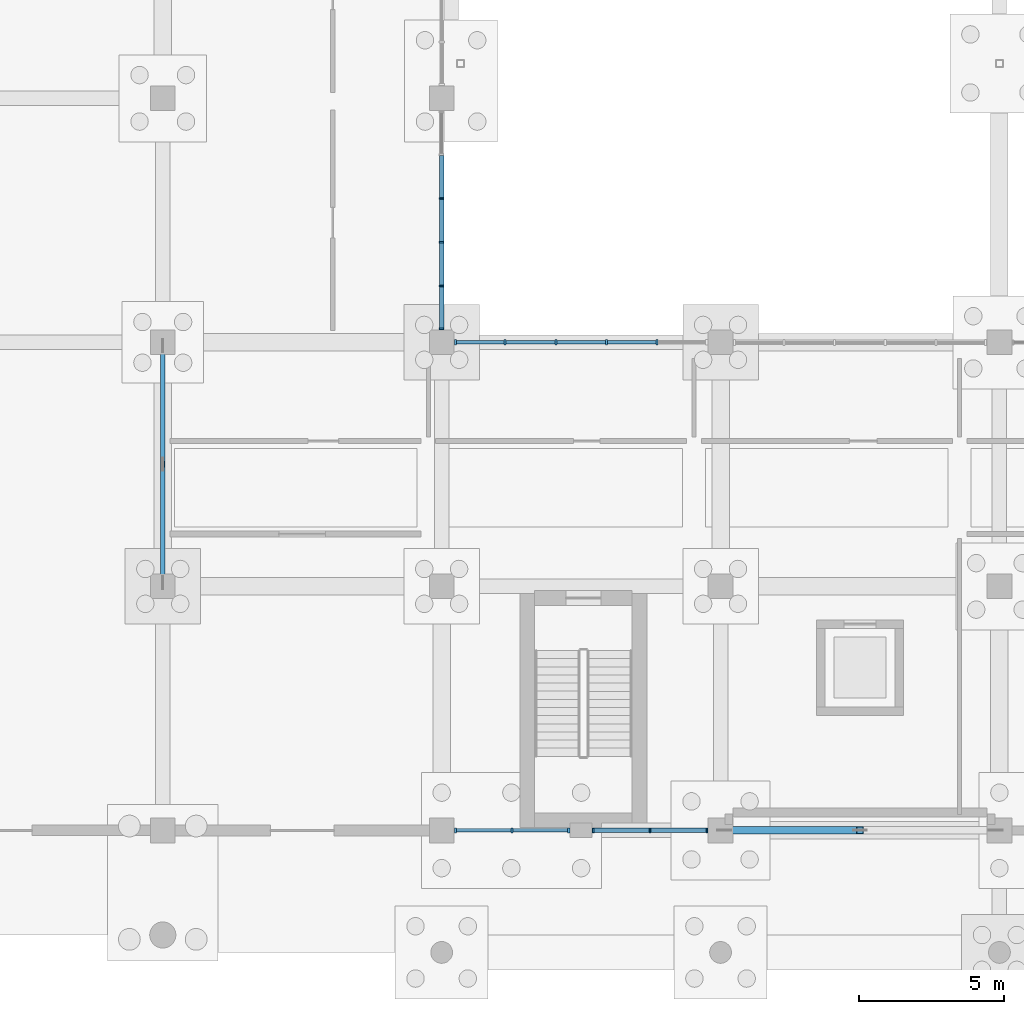
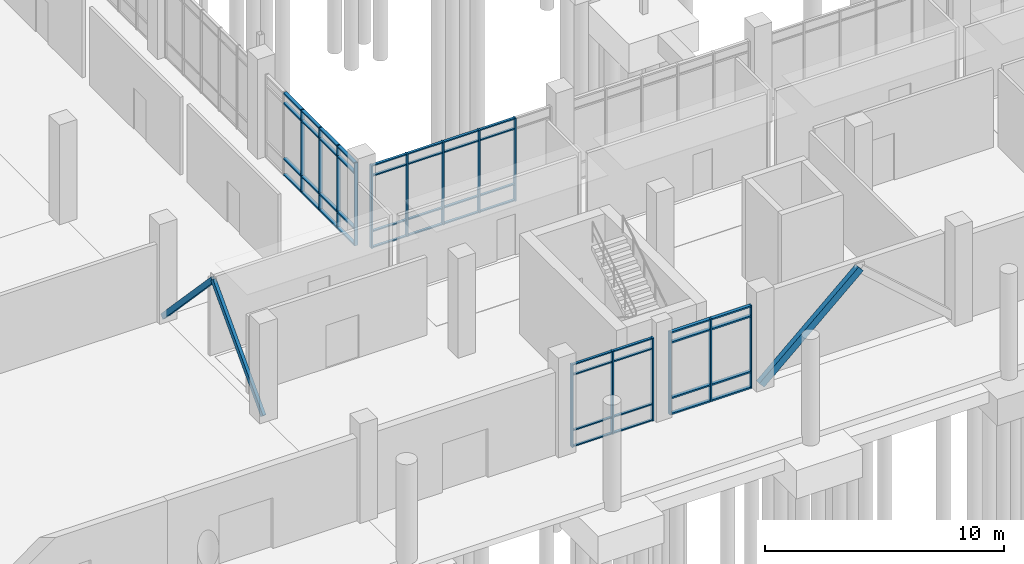
# One storey, part 48 of 136: 66 members, 4 elements without a shape of their own.
"""IFC4 building model written with IfcOpenShell, lengths in metres."""

from ifc_helpers import new_model, si_unit, direction, frame, origin, origin_2d, place, context, subcontext, project, spatial, rectangle, hollow_rectangle, extrude, material, material_profile, profile_set, type_object, element, aggregate, save


model = new_model("IFC4")

# Units and contexts
model_context = context("Model", 3, precision=1e-05, world=origin(), true_north=direction((0.0, 1.0)))
body_context = subcontext(model_context, "Body", "Model", "MODEL_VIEW")
ifc_project = project(units=[si_unit("LENGTHUNIT", "METRE"), si_unit("AREAUNIT", "SQUARE_METRE"), si_unit("VOLUMEUNIT", "CUBIC_METRE"), si_unit("PLANEANGLEUNIT", "RADIAN"), si_unit("MASSUNIT", "GRAM", prefix="KILO")], contexts=[model_context])

# Site, building, storey
site_placement = place(None, origin())
site = spatial("IfcSite", under=ifc_project, at=site_placement, CompositionType="ELEMENT")
building_placement = place(site_placement, origin())
building = spatial("IfcBuilding", under=site, at=building_placement, Name="Oolite Switchyard Hospital", CompositionType="ELEMENT")
storey_placement = place(building_placement, origin())
storey = spatial("IfcBuildingStorey", under=building, at=storey_placement, Name="L00", CompositionType="ELEMENT", Elevation=0.0)

# Curtain wall, members
ifc_material_1 = material(Name="Thermally broken aluminum frame with laminated impact glazing", Category="aluminium")
curtain_wall_type_1 = type_object("IfcCurtainWallType", Name="CW-UNIT-84X51", PredefinedType="USERDEFINED", material=ifc_material_1)
curtain_wall_1_placement = place(storey_placement, origin())
curtain_wall_1 = element("IfcCurtainWall", 1, at=curtain_wall_1_placement, inside=storey, type_object=curtain_wall_type_1, Name="L00 Unitised Curtain Wall 3", ObjectType="UNITISED", PredefinedType="USERDEFINED")
ifc_material_2 = material(Name="Aluminium 6063-T6", Category="aluminium")
ifc_material_profile_1 = material_profile(ifc_material_2, rectangle(XDim=0.159912109375, YDim=0.06005859375, at=origin_2d()), Name="CWM60X160")
ifc_profile_set_1 = profile_set([ifc_material_profile_1], Name="Aluminium 6063-T6")
member_type_1 = type_object("IfcMemberType", Name="CW-MUL-180", PredefinedType="MULLION", material=ifc_profile_set_1)
member_1_placement = place(storey_placement, frame((153.1298828125, 8.39990234375, 0.0), z_axis=(0.0, 0.0, 1.0), x_axis=(0.0, -1.0, 0.0)))
member_1 = element("IfcMember", 2, at=member_1_placement, type_object=member_type_1, Name="CW-06 mullion 1", PredefinedType="MULLION", context=body_context, shape_type="SweptSolid", body=[
    extrude(rectangle(XDim=0.159912109375, YDim=0.06005859375, at=origin_2d()), origin(), (0.0, 0.0, 1.0), 4.239990234375),
])
member_2_placement = place(storey_placement, frame((151.175048828125, 8.39990234375, 0.0), z_axis=(0.0, 0.0, 1.0), x_axis=(0.0, -1.0, 0.0)))
member_2 = element("IfcMember", 3, at=member_2_placement, type_object=member_type_1, Name="CW-06 mullion 2", PredefinedType="MULLION", context=body_context, shape_type="SweptSolid", body=[
    extrude(rectangle(XDim=0.159912109375, YDim=0.06005859375, at=origin_2d()), origin(), (0.0, 0.0, 1.0), 4.239990234375),
])
member_3_placement = place(storey_placement, frame((149.219970703125, 8.39990234375, 0.0), z_axis=(0.0, 0.0, 1.0), x_axis=(0.0, -1.0, 0.0)))
member_3 = element("IfcMember", 4, at=member_3_placement, type_object=member_type_1, Name="CW-06 mullion 3", PredefinedType="MULLION", context=body_context, shape_type="SweptSolid", body=[
    extrude(rectangle(XDim=0.159912109375, YDim=0.06005859375, at=origin_2d()), origin(), (0.0, 0.0, 1.0), 4.239990234375),
])

curtain_wall_2_placement = place(storey_placement, origin())
curtain_wall_2 = element("IfcCurtainWall", 5, at=curtain_wall_2_placement, inside=storey, type_object=curtain_wall_type_1, Name="L00 Unitised Curtain Wall 75", ObjectType="UNITISED", PredefinedType="USERDEFINED")
member_4_placement = place(storey_placement, frame((144.0, 30.152099609375, 0.0), z_axis=(0.0, 0.0, 1.0), x_axis=(1.0, 0.0, 0.0)))
member_4 = element("IfcMember", 6, at=member_4_placement, type_object=member_type_1, Name="CW-06 mullion 3", PredefinedType="MULLION", context=body_context, shape_type="SweptSolid", body=[
    extrude(rectangle(XDim=0.159912109375, YDim=0.06005859375, at=origin_2d()), origin(), (0.0, 0.0, 1.0), 4.239990234375),
])
member_5_placement = place(storey_placement, frame((144.0, 28.64794921875, 0.0), z_axis=(0.0, 0.0, 1.0), x_axis=(1.0, 0.0, 0.0)))
member_5 = element("IfcMember", 7, at=member_5_placement, type_object=member_type_1, Name="CW-06 mullion 4", PredefinedType="MULLION", context=body_context, shape_type="SweptSolid", body=[
    extrude(rectangle(XDim=0.159912109375, YDim=0.06005859375, at=origin_2d()), origin(), (0.0, 0.0, 1.0), 4.239990234375),
])
member_6_placement = place(storey_placement, frame((144.0, 27.14404296875, 0.0), z_axis=(0.0, 0.0, 1.0), x_axis=(1.0, 0.0, 0.0)))
member_6 = element("IfcMember", 8, at=member_6_placement, type_object=member_type_1, Name="CW-06 mullion 5", PredefinedType="MULLION", context=body_context, shape_type="SweptSolid", body=[
    extrude(rectangle(XDim=0.159912109375, YDim=0.06005859375, at=origin_2d()), origin(), (0.0, 0.0, 1.0), 4.239990234375),
])
member_7_placement = place(storey_placement, frame((144.0, 25.669921875, 0.0), z_axis=(0.0, 0.0, 1.0), x_axis=(1.0, 0.0, 0.0)))
member_7 = element("IfcMember", 9, at=member_7_placement, type_object=member_type_1, Name="CW-06 mullion 6", PredefinedType="MULLION", context=body_context, shape_type="SweptSolid", body=[
    extrude(rectangle(XDim=0.159912109375, YDim=0.06005859375, at=origin_2d()), origin(), (0.0, 0.0, 1.0), 4.239990234375),
])

curtain_wall_3_placement = place(storey_placement, origin())
curtain_wall_3 = element("IfcCurtainWall", 10, at=curtain_wall_3_placement, inside=storey, type_object=curtain_wall_type_1, Name="L00 Unitised Curtain Wall 4", ObjectType="UNITISED", PredefinedType="USERDEFINED")
ifc_material_profile_2 = material_profile(ifc_material_2, rectangle(XDim=0.179931640625, YDim=0.070068359375, at=origin_2d()), Name="CWM70X180")
ifc_profile_set_2 = profile_set([ifc_material_profile_2], Name="Aluminium 6063-T6")
member_type_2 = type_object("IfcMemberType", Name="CW-MUL-220", PredefinedType="MULLION", material=ifc_profile_set_2)
member_8_placement = place(storey_placement, frame((148.375, 8.39990234375, 0.0), z_axis=(0.0, 0.0, 1.0), x_axis=(0.0, -1.0, 0.0)))
member_8 = element("IfcMember", 11, at=member_8_placement, type_object=member_type_2, Name="CW-06 mullion 1", PredefinedType="MULLION", context=body_context, shape_type="SweptSolid", body=[
    extrude(rectangle(XDim=0.179931640625, YDim=0.070068359375, at=origin_2d()), origin(), (0.0, 0.0, 1.0), 4.239990234375),
])
member_9_placement = place(storey_placement, frame((146.425048828125, 8.39990234375, 0.0), z_axis=(0.0, 0.0, 1.0), x_axis=(0.0, -1.0, 0.0)))
member_9 = element("IfcMember", 12, at=member_9_placement, type_object=member_type_2, Name="CW-06 mullion 2", PredefinedType="MULLION", context=body_context, shape_type="SweptSolid", body=[
    extrude(rectangle(XDim=0.179931640625, YDim=0.070068359375, at=origin_2d()), origin(), (0.0, 0.0, 1.0), 4.239990234375),
])
member_10_placement = place(storey_placement, frame((144.47509765625, 8.39990234375, 0.0), z_axis=(0.0, 0.0, 1.0), x_axis=(0.0, -1.0, 0.0)))
member_10 = element("IfcMember", 13, at=member_10_placement, type_object=member_type_2, Name="CW-06 mullion 3", PredefinedType="MULLION", context=body_context, shape_type="SweptSolid", body=[
    extrude(rectangle(XDim=0.179931640625, YDim=0.070068359375, at=origin_2d()), origin(), (0.0, 0.0, 1.0), 4.239990234375),
])

curtain_wall_type_2 = type_object("IfcCurtainWallType", Name="CW-UNIT-96X51", PredefinedType="USERDEFINED", material=ifc_material_1)
curtain_wall_4_placement = place(storey_placement, origin())
curtain_wall_4 = element("IfcCurtainWall", 14, at=curtain_wall_4_placement, inside=storey, type_object=curtain_wall_type_2, Name="L00 Unitised Curtain Wall 10", ObjectType="UNITISED", PredefinedType="USERDEFINED")
member_11_placement = place(storey_placement, frame((144.47509765625, 25.199951171875, 0.0), z_axis=(0.0, 0.0, 1.0), x_axis=(0.0, 1.0, 0.0)))
member_11 = element("IfcMember", 15, at=member_11_placement, type_object=member_type_2, Name="CW-01 mullion 1", PredefinedType="MULLION", context=body_context, shape_type="SweptSolid", body=[
    extrude(rectangle(XDim=0.179931640625, YDim=0.070068359375, at=origin_2d()), origin(), (0.0, 0.0, 1.0), 4.239990234375),
])
member_12_placement = place(storey_placement, frame((146.18408203125, 25.199951171875, 0.0), z_axis=(0.0, 0.0, 1.0), x_axis=(0.0, 1.0, 0.0)))
member_12 = element("IfcMember", 16, at=member_12_placement, type_object=member_type_2, Name="CW-01 mullion 2", PredefinedType="MULLION", context=body_context, shape_type="SweptSolid", body=[
    extrude(rectangle(XDim=0.179931640625, YDim=0.070068359375, at=origin_2d()), origin(), (0.0, 0.0, 1.0), 4.239990234375),
])
member_13_placement = place(storey_placement, frame((147.927978515625, 25.199951171875, 0.0), z_axis=(0.0, 0.0, 1.0), x_axis=(0.0, 1.0, 0.0)))
member_13 = element("IfcMember", 17, at=member_13_placement, type_object=member_type_2, Name="CW-01 mullion 3", PredefinedType="MULLION", context=body_context, shape_type="SweptSolid", body=[
    extrude(rectangle(XDim=0.179931640625, YDim=0.070068359375, at=origin_2d()), origin(), (0.0, 0.0, 1.0), 4.239990234375),
])
member_14_placement = place(storey_placement, frame((149.672119140625, 25.199951171875, 0.0), z_axis=(0.0, 0.0, 1.0), x_axis=(0.0, 1.0, 0.0)))
member_14 = element("IfcMember", 18, at=member_14_placement, type_object=member_type_2, Name="CW-01 mullion 4", PredefinedType="MULLION", context=body_context, shape_type="SweptSolid", body=[
    extrude(rectangle(XDim=0.179931640625, YDim=0.070068359375, at=origin_2d()), origin(), (0.0, 0.0, 1.0), 4.239990234375),
])
member_15_placement = place(storey_placement, frame((151.416015625, 25.199951171875, 0.0), z_axis=(0.0, 0.0, 1.0), x_axis=(0.0, 1.0, 0.0)))
member_15 = element("IfcMember", 19, at=member_15_placement, type_object=member_type_2, Name="CW-01 mullion 5", PredefinedType="MULLION", context=body_context, shape_type="SweptSolid", body=[
    extrude(rectangle(XDim=0.179931640625, YDim=0.070068359375, at=origin_2d()), origin(), (0.0, 0.0, 1.0), 4.239990234375),
])

# Member
ifc_material_profile_3 = material_profile(ifc_material_2, rectangle(XDim=0.1201171875, YDim=0.06005859375, at=origin_2d()), Name="CWT60X120")
ifc_profile_set_3 = profile_set([ifc_material_profile_3], Name="Aluminium 6063-T6")
member_type_3 = type_object("IfcMemberType", Name="CW-TRN-150", PredefinedType="USERDEFINED", material=ifc_profile_set_3)
member_16_placement = place(storey_placement, frame((148.340087890625, 8.39990234375, 0.030029296875), z_axis=(-1.0, 0.0, 0.0), x_axis=(0.0, -1.0, 0.0)))
member_16 = element("IfcMember", 20, at=member_16_placement, type_object=member_type_3, Name="CW-06 transom 1.1", ObjectType="TRANSOM", PredefinedType="USERDEFINED", context=body_context, shape_type="SweptSolid", body=[
    extrude(rectangle(XDim=0.1201171875, YDim=0.06005859375, at=origin_2d()), origin(), (0.0, 0.0, 1.0), 1.880126953125),
])

member_17_placement = place(storey_placement, frame((148.340087890625, 8.39990234375, 0.85009765625), z_axis=(-1.0, 0.0, 0.0), x_axis=(0.0, -1.0, 0.0)))
member_17 = element("IfcMember", 21, at=member_17_placement, type_object=member_type_3, Name="CW-06 transom 1.2", ObjectType="TRANSOM", PredefinedType="USERDEFINED", context=body_context, shape_type="SweptSolid", body=[
    extrude(rectangle(XDim=0.1201171875, YDim=0.06005859375, at=origin_2d()), origin(), (0.0, 0.0, 1.0), 1.880126953125),
])

member_18_placement = place(storey_placement, frame((148.340087890625, 8.39990234375, 3.68994140625), z_axis=(-1.0, 0.0, 0.0), x_axis=(0.0, -1.0, 0.0)))
member_18 = element("IfcMember", 22, at=member_18_placement, type_object=member_type_3, Name="CW-06 transom 1.3", ObjectType="TRANSOM", PredefinedType="USERDEFINED", context=body_context, shape_type="SweptSolid", body=[
    extrude(rectangle(XDim=0.1201171875, YDim=0.06005859375, at=origin_2d()), origin(), (0.0, 0.0, 1.0), 1.880126953125),
])

member_19_placement = place(storey_placement, frame((148.340087890625, 8.39990234375, 4.2099609375), z_axis=(-1.0, 0.0, 0.0), x_axis=(0.0, -1.0, 0.0)))
member_19 = element("IfcMember", 23, at=member_19_placement, type_object=member_type_3, Name="CW-06 transom 1.4", ObjectType="TRANSOM", PredefinedType="USERDEFINED", context=body_context, shape_type="SweptSolid", body=[
    extrude(rectangle(XDim=0.1201171875, YDim=0.06005859375, at=origin_2d()), origin(), (0.0, 0.0, 1.0), 1.880126953125),
])

member_20_placement = place(storey_placement, frame((146.389892578125, 8.39990234375, 0.030029296875), z_axis=(-1.0, 0.0, 0.0), x_axis=(0.0, -1.0, 0.0)))
member_20 = element("IfcMember", 24, at=member_20_placement, type_object=member_type_3, Name="CW-06 transom 2.1", ObjectType="TRANSOM", PredefinedType="USERDEFINED", context=body_context, shape_type="SweptSolid", body=[
    extrude(rectangle(XDim=0.1201171875, YDim=0.06005859375, at=origin_2d()), origin(), (0.0, 0.0, 1.0), 1.8798828125),
])

member_21_placement = place(storey_placement, frame((146.389892578125, 8.39990234375, 0.85009765625), z_axis=(-1.0, 0.0, 0.0), x_axis=(0.0, -1.0, 0.0)))
member_21 = element("IfcMember", 25, at=member_21_placement, type_object=member_type_3, Name="CW-06 transom 2.2", ObjectType="TRANSOM", PredefinedType="USERDEFINED", context=body_context, shape_type="SweptSolid", body=[
    extrude(rectangle(XDim=0.1201171875, YDim=0.06005859375, at=origin_2d()), origin(), (0.0, 0.0, 1.0), 1.8798828125),
])

member_22_placement = place(storey_placement, frame((146.389892578125, 8.39990234375, 3.68994140625), z_axis=(-1.0, 0.0, 0.0), x_axis=(0.0, -1.0, 0.0)))
member_22 = element("IfcMember", 26, at=member_22_placement, type_object=member_type_3, Name="CW-06 transom 2.3", ObjectType="TRANSOM", PredefinedType="USERDEFINED", context=body_context, shape_type="SweptSolid", body=[
    extrude(rectangle(XDim=0.1201171875, YDim=0.06005859375, at=origin_2d()), origin(), (0.0, 0.0, 1.0), 1.8798828125),
])

member_23_placement = place(storey_placement, frame((146.389892578125, 8.39990234375, 4.2099609375), z_axis=(-1.0, 0.0, 0.0), x_axis=(0.0, -1.0, 0.0)))
member_23 = element("IfcMember", 27, at=member_23_placement, type_object=member_type_3, Name="CW-06 transom 2.4", ObjectType="TRANSOM", PredefinedType="USERDEFINED", context=body_context, shape_type="SweptSolid", body=[
    extrude(rectangle(XDim=0.1201171875, YDim=0.06005859375, at=origin_2d()), origin(), (0.0, 0.0, 1.0), 1.8798828125),
])

aggregate(curtain_wall_3, [member_8, member_9, member_10, member_16, member_17, member_18, member_19, member_20, member_21, member_22, member_23])

member_24_placement = place(storey_placement, frame((144.510009765625, 25.199951171875, 0.030029296875), z_axis=(1.0, 0.0, 0.0), x_axis=(0.0, 1.0, 0.0)))
member_24 = element("IfcMember", 28, at=member_24_placement, type_object=member_type_3, Name="CW-01 transom 1.1", ObjectType="TRANSOM", PredefinedType="USERDEFINED", context=body_context, shape_type="SweptSolid", body=[
    extrude(rectangle(XDim=0.1201171875, YDim=0.06005859375, at=origin_2d()), origin(), (0.0, 0.0, 1.0), 1.638916015625),
])

member_25_placement = place(storey_placement, frame((144.510009765625, 25.199951171875, 0.85009765625), z_axis=(1.0, 0.0, 0.0), x_axis=(0.0, 1.0, 0.0)))
member_25 = element("IfcMember", 29, at=member_25_placement, type_object=member_type_3, Name="CW-01 transom 1.2", ObjectType="TRANSOM", PredefinedType="USERDEFINED", context=body_context, shape_type="SweptSolid", body=[
    extrude(rectangle(XDim=0.1201171875, YDim=0.06005859375, at=origin_2d()), origin(), (0.0, 0.0, 1.0), 1.638916015625),
])

member_26_placement = place(storey_placement, frame((144.510009765625, 25.199951171875, 3.68994140625), z_axis=(1.0, 0.0, 0.0), x_axis=(0.0, 1.0, 0.0)))
member_26 = element("IfcMember", 30, at=member_26_placement, type_object=member_type_3, Name="CW-01 transom 1.3", ObjectType="TRANSOM", PredefinedType="USERDEFINED", context=body_context, shape_type="SweptSolid", body=[
    extrude(rectangle(XDim=0.1201171875, YDim=0.06005859375, at=origin_2d()), origin(), (0.0, 0.0, 1.0), 1.638916015625),
])

member_27_placement = place(storey_placement, frame((144.510009765625, 25.199951171875, 4.2099609375), z_axis=(1.0, 0.0, 0.0), x_axis=(0.0, 1.0, 0.0)))
member_27 = element("IfcMember", 31, at=member_27_placement, type_object=member_type_3, Name="CW-01 transom 1.4", ObjectType="TRANSOM", PredefinedType="USERDEFINED", context=body_context, shape_type="SweptSolid", body=[
    extrude(rectangle(XDim=0.1201171875, YDim=0.06005859375, at=origin_2d()), origin(), (0.0, 0.0, 1.0), 1.638916015625),
])

member_28_placement = place(storey_placement, frame((146.218994140625, 25.199951171875, 0.030029296875), z_axis=(1.0, 0.0, 0.0), x_axis=(0.0, 1.0, 0.0)))
member_28 = element("IfcMember", 32, at=member_28_placement, type_object=member_type_3, Name="CW-01 transom 2.1", ObjectType="TRANSOM", PredefinedType="USERDEFINED", context=body_context, shape_type="SweptSolid", body=[
    extrude(rectangle(XDim=0.1201171875, YDim=0.06005859375, at=origin_2d()), origin(), (0.0, 0.0, 1.0), 1.674072265625),
])

member_29_placement = place(storey_placement, frame((146.218994140625, 25.199951171875, 0.85009765625), z_axis=(1.0, 0.0, 0.0), x_axis=(0.0, 1.0, 0.0)))
member_29 = element("IfcMember", 33, at=member_29_placement, type_object=member_type_3, Name="CW-01 transom 2.2", ObjectType="TRANSOM", PredefinedType="USERDEFINED", context=body_context, shape_type="SweptSolid", body=[
    extrude(rectangle(XDim=0.1201171875, YDim=0.06005859375, at=origin_2d()), origin(), (0.0, 0.0, 1.0), 1.674072265625),
])

member_30_placement = place(storey_placement, frame((146.218994140625, 25.199951171875, 3.68994140625), z_axis=(1.0, 0.0, 0.0), x_axis=(0.0, 1.0, 0.0)))
member_30 = element("IfcMember", 34, at=member_30_placement, type_object=member_type_3, Name="CW-01 transom 2.3", ObjectType="TRANSOM", PredefinedType="USERDEFINED", context=body_context, shape_type="SweptSolid", body=[
    extrude(rectangle(XDim=0.1201171875, YDim=0.06005859375, at=origin_2d()), origin(), (0.0, 0.0, 1.0), 1.674072265625),
])

member_31_placement = place(storey_placement, frame((146.218994140625, 25.199951171875, 4.2099609375), z_axis=(1.0, 0.0, 0.0), x_axis=(0.0, 1.0, 0.0)))
member_31 = element("IfcMember", 35, at=member_31_placement, type_object=member_type_3, Name="CW-01 transom 2.4", ObjectType="TRANSOM", PredefinedType="USERDEFINED", context=body_context, shape_type="SweptSolid", body=[
    extrude(rectangle(XDim=0.1201171875, YDim=0.06005859375, at=origin_2d()), origin(), (0.0, 0.0, 1.0), 1.674072265625),
])

member_32_placement = place(storey_placement, frame((147.962890625, 25.199951171875, 0.030029296875), z_axis=(1.0, 0.0, 0.0), x_axis=(0.0, 1.0, 0.0)))
member_32 = element("IfcMember", 36, at=member_32_placement, type_object=member_type_3, Name="CW-01 transom 3.1", ObjectType="TRANSOM", PredefinedType="USERDEFINED", context=body_context, shape_type="SweptSolid", body=[
    extrude(rectangle(XDim=0.1201171875, YDim=0.06005859375, at=origin_2d()), origin(), (0.0, 0.0, 1.0), 1.674072265625),
])

member_33_placement = place(storey_placement, frame((147.962890625, 25.199951171875, 0.85009765625), z_axis=(1.0, 0.0, 0.0), x_axis=(0.0, 1.0, 0.0)))
member_33 = element("IfcMember", 37, at=member_33_placement, type_object=member_type_3, Name="CW-01 transom 3.2", ObjectType="TRANSOM", PredefinedType="USERDEFINED", context=body_context, shape_type="SweptSolid", body=[
    extrude(rectangle(XDim=0.1201171875, YDim=0.06005859375, at=origin_2d()), origin(), (0.0, 0.0, 1.0), 1.674072265625),
])

member_34_placement = place(storey_placement, frame((147.962890625, 25.199951171875, 3.68994140625), z_axis=(1.0, 0.0, 0.0), x_axis=(0.0, 1.0, 0.0)))
member_34 = element("IfcMember", 38, at=member_34_placement, type_object=member_type_3, Name="CW-01 transom 3.3", ObjectType="TRANSOM", PredefinedType="USERDEFINED", context=body_context, shape_type="SweptSolid", body=[
    extrude(rectangle(XDim=0.1201171875, YDim=0.06005859375, at=origin_2d()), origin(), (0.0, 0.0, 1.0), 1.674072265625),
])

member_35_placement = place(storey_placement, frame((147.962890625, 25.199951171875, 4.2099609375), z_axis=(1.0, 0.0, 0.0), x_axis=(0.0, 1.0, 0.0)))
member_35 = element("IfcMember", 39, at=member_35_placement, type_object=member_type_3, Name="CW-01 transom 3.4", ObjectType="TRANSOM", PredefinedType="USERDEFINED", context=body_context, shape_type="SweptSolid", body=[
    extrude(rectangle(XDim=0.1201171875, YDim=0.06005859375, at=origin_2d()), origin(), (0.0, 0.0, 1.0), 1.674072265625),
])

member_36_placement = place(storey_placement, frame((149.70703125, 25.199951171875, 0.030029296875), z_axis=(1.0, 0.0, 0.0), x_axis=(0.0, 1.0, 0.0)))
member_36 = element("IfcMember", 40, at=member_36_placement, type_object=member_type_3, Name="CW-01 transom 4.1", ObjectType="TRANSOM", PredefinedType="USERDEFINED", context=body_context, shape_type="SweptSolid", body=[
    extrude(rectangle(XDim=0.1201171875, YDim=0.06005859375, at=origin_2d()), origin(), (0.0, 0.0, 1.0), 1.674072265625),
])

member_37_placement = place(storey_placement, frame((149.70703125, 25.199951171875, 0.85009765625), z_axis=(1.0, 0.0, 0.0), x_axis=(0.0, 1.0, 0.0)))
member_37 = element("IfcMember", 41, at=member_37_placement, type_object=member_type_3, Name="CW-01 transom 4.2", ObjectType="TRANSOM", PredefinedType="USERDEFINED", context=body_context, shape_type="SweptSolid", body=[
    extrude(rectangle(XDim=0.1201171875, YDim=0.06005859375, at=origin_2d()), origin(), (0.0, 0.0, 1.0), 1.674072265625),
])

member_38_placement = place(storey_placement, frame((149.70703125, 25.199951171875, 3.68994140625), z_axis=(1.0, 0.0, 0.0), x_axis=(0.0, 1.0, 0.0)))
member_38 = element("IfcMember", 42, at=member_38_placement, type_object=member_type_3, Name="CW-01 transom 4.3", ObjectType="TRANSOM", PredefinedType="USERDEFINED", context=body_context, shape_type="SweptSolid", body=[
    extrude(rectangle(XDim=0.1201171875, YDim=0.06005859375, at=origin_2d()), origin(), (0.0, 0.0, 1.0), 1.674072265625),
])

member_39_placement = place(storey_placement, frame((149.70703125, 25.199951171875, 4.2099609375), z_axis=(1.0, 0.0, 0.0), x_axis=(0.0, 1.0, 0.0)))
member_39 = element("IfcMember", 43, at=member_39_placement, type_object=member_type_3, Name="CW-01 transom 4.4", ObjectType="TRANSOM", PredefinedType="USERDEFINED", context=body_context, shape_type="SweptSolid", body=[
    extrude(rectangle(XDim=0.1201171875, YDim=0.06005859375, at=origin_2d()), origin(), (0.0, 0.0, 1.0), 1.674072265625),
])

aggregate(curtain_wall_4, [member_11, member_12, member_13, member_14, member_15, member_24, member_25, member_26, member_27, member_28, member_29, member_30, member_31, member_32, member_33, member_34, member_35, member_36, member_37, member_38, member_39])

ifc_material_profile_4 = material_profile(ifc_material_2, rectangle(XDim=0.159912109375, YDim=0.074951171875, at=origin_2d()), Name="CWT75X160")
ifc_profile_set_4 = profile_set([ifc_material_profile_4], Name="Aluminium 6063-T6")
member_type_4 = type_object("IfcMemberType", Name="CW-TRN-180", PredefinedType="USERDEFINED", material=ifc_profile_set_4)
member_40_placement = place(storey_placement, frame((153.10009765625, 8.39990234375, 0.03759765625), z_axis=(-1.0, 0.0, 0.0), x_axis=(0.0, -1.0, 0.0)))
member_40 = element("IfcMember", 44, at=member_40_placement, type_object=member_type_4, Name="CW-06 transom 1.1", ObjectType="TRANSOM", PredefinedType="USERDEFINED", context=body_context, shape_type="SweptSolid", body=[
    extrude(rectangle(XDim=0.159912109375, YDim=0.074951171875, at=origin_2d()), origin(), (0.0, 0.0, 1.0), 1.89501953125),
])

member_41_placement = place(storey_placement, frame((153.10009765625, 8.39990234375, 0.85009765625), z_axis=(-1.0, 0.0, 0.0), x_axis=(0.0, -1.0, 0.0)))
member_41 = element("IfcMember", 45, at=member_41_placement, type_object=member_type_4, Name="CW-06 transom 1.2", ObjectType="TRANSOM", PredefinedType="USERDEFINED", context=body_context, shape_type="SweptSolid", body=[
    extrude(rectangle(XDim=0.159912109375, YDim=0.074951171875, at=origin_2d()), origin(), (0.0, 0.0, 1.0), 1.89501953125),
])

member_42_placement = place(storey_placement, frame((153.10009765625, 8.39990234375, 3.68994140625), z_axis=(-1.0, 0.0, 0.0), x_axis=(0.0, -1.0, 0.0)))
member_42 = element("IfcMember", 46, at=member_42_placement, type_object=member_type_4, Name="CW-06 transom 1.3", ObjectType="TRANSOM", PredefinedType="USERDEFINED", context=body_context, shape_type="SweptSolid", body=[
    extrude(rectangle(XDim=0.159912109375, YDim=0.074951171875, at=origin_2d()), origin(), (0.0, 0.0, 1.0), 1.89501953125),
])

member_43_placement = place(storey_placement, frame((153.10009765625, 8.39990234375, 4.202392578125), z_axis=(-1.0, 0.0, 0.0), x_axis=(0.0, -1.0, 0.0)))
member_43 = element("IfcMember", 47, at=member_43_placement, type_object=member_type_4, Name="CW-06 transom 1.4", ObjectType="TRANSOM", PredefinedType="USERDEFINED", context=body_context, shape_type="SweptSolid", body=[
    extrude(rectangle(XDim=0.159912109375, YDim=0.074951171875, at=origin_2d()), origin(), (0.0, 0.0, 1.0), 1.89501953125),
])

member_44_placement = place(storey_placement, frame((151.14501953125, 8.39990234375, 0.03759765625), z_axis=(-1.0, 0.0, 0.0), x_axis=(0.0, -1.0, 0.0)))
member_44 = element("IfcMember", 48, at=member_44_placement, type_object=member_type_4, Name="CW-06 transom 2.1", ObjectType="TRANSOM", PredefinedType="USERDEFINED", context=body_context, shape_type="SweptSolid", body=[
    extrude(rectangle(XDim=0.159912109375, YDim=0.074951171875, at=origin_2d()), origin(), (0.0, 0.0, 1.0), 1.89501953125),
])

member_45_placement = place(storey_placement, frame((151.14501953125, 8.39990234375, 0.85009765625), z_axis=(-1.0, 0.0, 0.0), x_axis=(0.0, -1.0, 0.0)))
member_45 = element("IfcMember", 49, at=member_45_placement, type_object=member_type_4, Name="CW-06 transom 2.2", ObjectType="TRANSOM", PredefinedType="USERDEFINED", context=body_context, shape_type="SweptSolid", body=[
    extrude(rectangle(XDim=0.159912109375, YDim=0.074951171875, at=origin_2d()), origin(), (0.0, 0.0, 1.0), 1.89501953125),
])

member_46_placement = place(storey_placement, frame((151.14501953125, 8.39990234375, 3.68994140625), z_axis=(-1.0, 0.0, 0.0), x_axis=(0.0, -1.0, 0.0)))
member_46 = element("IfcMember", 50, at=member_46_placement, type_object=member_type_4, Name="CW-06 transom 2.3", ObjectType="TRANSOM", PredefinedType="USERDEFINED", context=body_context, shape_type="SweptSolid", body=[
    extrude(rectangle(XDim=0.159912109375, YDim=0.074951171875, at=origin_2d()), origin(), (0.0, 0.0, 1.0), 1.89501953125),
])

member_47_placement = place(storey_placement, frame((151.14501953125, 8.39990234375, 4.202392578125), z_axis=(-1.0, 0.0, 0.0), x_axis=(0.0, -1.0, 0.0)))
member_47 = element("IfcMember", 51, at=member_47_placement, type_object=member_type_4, Name="CW-06 transom 2.4", ObjectType="TRANSOM", PredefinedType="USERDEFINED", context=body_context, shape_type="SweptSolid", body=[
    extrude(rectangle(XDim=0.159912109375, YDim=0.074951171875, at=origin_2d()), origin(), (0.0, 0.0, 1.0), 1.89501953125),
])

aggregate(curtain_wall_1, [member_1, member_2, member_3, member_40, member_41, member_42, member_43, member_44, member_45, member_46, member_47])

member_48_placement = place(storey_placement, frame((144.0, 31.6259765625, 0.03759765625), z_axis=(0.0, -1.0, 0.0), x_axis=(1.0, 0.0, 0.0)))
member_48 = element("IfcMember", 52, at=member_48_placement, type_object=member_type_4, Name="CW-06 transom 2.1", ObjectType="TRANSOM", PredefinedType="USERDEFINED", context=body_context, shape_type="SweptSolid", body=[
    extrude(rectangle(XDim=0.159912109375, YDim=0.074951171875, at=origin_2d()), origin(), (0.0, 0.0, 1.0), 1.444091796875),
])

member_49_placement = place(storey_placement, frame((144.0, 31.6259765625, 0.85009765625), z_axis=(0.0, -1.0, 0.0), x_axis=(1.0, 0.0, 0.0)))
member_49 = element("IfcMember", 53, at=member_49_placement, type_object=member_type_4, Name="CW-06 transom 2.2", ObjectType="TRANSOM", PredefinedType="USERDEFINED", context=body_context, shape_type="SweptSolid", body=[
    extrude(rectangle(XDim=0.159912109375, YDim=0.074951171875, at=origin_2d()), origin(), (0.0, 0.0, 1.0), 1.444091796875),
])

member_50_placement = place(storey_placement, frame((144.0, 31.6259765625, 3.68994140625), z_axis=(0.0, -1.0, 0.0), x_axis=(1.0, 0.0, 0.0)))
member_50 = element("IfcMember", 54, at=member_50_placement, type_object=member_type_4, Name="CW-06 transom 2.3", ObjectType="TRANSOM", PredefinedType="USERDEFINED", context=body_context, shape_type="SweptSolid", body=[
    extrude(rectangle(XDim=0.159912109375, YDim=0.074951171875, at=origin_2d()), origin(), (0.0, 0.0, 1.0), 1.444091796875),
])

member_51_placement = place(storey_placement, frame((144.0, 31.6259765625, 4.202392578125), z_axis=(0.0, -1.0, 0.0), x_axis=(1.0, 0.0, 0.0)))
member_51 = element("IfcMember", 55, at=member_51_placement, type_object=member_type_4, Name="CW-06 transom 2.4", ObjectType="TRANSOM", PredefinedType="USERDEFINED", context=body_context, shape_type="SweptSolid", body=[
    extrude(rectangle(XDim=0.159912109375, YDim=0.074951171875, at=origin_2d()), origin(), (0.0, 0.0, 1.0), 1.444091796875),
])

member_52_placement = place(storey_placement, frame((144.0, 30.1220703125, 0.03759765625), z_axis=(0.0, -1.0, 0.0), x_axis=(1.0, 0.0, 0.0)))
member_52 = element("IfcMember", 56, at=member_52_placement, type_object=member_type_4, Name="CW-06 transom 3.1", ObjectType="TRANSOM", PredefinedType="USERDEFINED", context=body_context, shape_type="SweptSolid", body=[
    extrude(rectangle(XDim=0.159912109375, YDim=0.074951171875, at=origin_2d()), origin(), (0.0, 0.0, 1.0), 1.444091796875),
])

member_53_placement = place(storey_placement, frame((144.0, 30.1220703125, 0.85009765625), z_axis=(0.0, -1.0, 0.0), x_axis=(1.0, 0.0, 0.0)))
member_53 = element("IfcMember", 57, at=member_53_placement, type_object=member_type_4, Name="CW-06 transom 3.2", ObjectType="TRANSOM", PredefinedType="USERDEFINED", context=body_context, shape_type="SweptSolid", body=[
    extrude(rectangle(XDim=0.159912109375, YDim=0.074951171875, at=origin_2d()), origin(), (0.0, 0.0, 1.0), 1.444091796875),
])

member_54_placement = place(storey_placement, frame((144.0, 30.1220703125, 3.68994140625), z_axis=(0.0, -1.0, 0.0), x_axis=(1.0, 0.0, 0.0)))
member_54 = element("IfcMember", 58, at=member_54_placement, type_object=member_type_4, Name="CW-06 transom 3.3", ObjectType="TRANSOM", PredefinedType="USERDEFINED", context=body_context, shape_type="SweptSolid", body=[
    extrude(rectangle(XDim=0.159912109375, YDim=0.074951171875, at=origin_2d()), origin(), (0.0, 0.0, 1.0), 1.444091796875),
])

member_55_placement = place(storey_placement, frame((144.0, 30.1220703125, 4.202392578125), z_axis=(0.0, -1.0, 0.0), x_axis=(1.0, 0.0, 0.0)))
member_55 = element("IfcMember", 59, at=member_55_placement, type_object=member_type_4, Name="CW-06 transom 3.4", ObjectType="TRANSOM", PredefinedType="USERDEFINED", context=body_context, shape_type="SweptSolid", body=[
    extrude(rectangle(XDim=0.159912109375, YDim=0.074951171875, at=origin_2d()), origin(), (0.0, 0.0, 1.0), 1.444091796875),
])

member_56_placement = place(storey_placement, frame((144.0, 28.617919921875, 0.03759765625), z_axis=(0.0, -1.0, 0.0), x_axis=(1.0, 0.0, 0.0)))
member_56 = element("IfcMember", 60, at=member_56_placement, type_object=member_type_4, Name="CW-06 transom 4.1", ObjectType="TRANSOM", PredefinedType="USERDEFINED", context=body_context, shape_type="SweptSolid", body=[
    extrude(rectangle(XDim=0.159912109375, YDim=0.074951171875, at=origin_2d()), origin(), (0.0, 0.0, 1.0), 1.44384765625),
])

member_57_placement = place(storey_placement, frame((144.0, 28.617919921875, 0.85009765625), z_axis=(0.0, -1.0, 0.0), x_axis=(1.0, 0.0, 0.0)))
member_57 = element("IfcMember", 61, at=member_57_placement, type_object=member_type_4, Name="CW-06 transom 4.2", ObjectType="TRANSOM", PredefinedType="USERDEFINED", context=body_context, shape_type="SweptSolid", body=[
    extrude(rectangle(XDim=0.159912109375, YDim=0.074951171875, at=origin_2d()), origin(), (0.0, 0.0, 1.0), 1.44384765625),
])

member_58_placement = place(storey_placement, frame((144.0, 28.617919921875, 3.68994140625), z_axis=(0.0, -1.0, 0.0), x_axis=(1.0, 0.0, 0.0)))
member_58 = element("IfcMember", 62, at=member_58_placement, type_object=member_type_4, Name="CW-06 transom 4.3", ObjectType="TRANSOM", PredefinedType="USERDEFINED", context=body_context, shape_type="SweptSolid", body=[
    extrude(rectangle(XDim=0.159912109375, YDim=0.074951171875, at=origin_2d()), origin(), (0.0, 0.0, 1.0), 1.44384765625),
])

member_59_placement = place(storey_placement, frame((144.0, 28.617919921875, 4.202392578125), z_axis=(0.0, -1.0, 0.0), x_axis=(1.0, 0.0, 0.0)))
member_59 = element("IfcMember", 63, at=member_59_placement, type_object=member_type_4, Name="CW-06 transom 4.4", ObjectType="TRANSOM", PredefinedType="USERDEFINED", context=body_context, shape_type="SweptSolid", body=[
    extrude(rectangle(XDim=0.159912109375, YDim=0.074951171875, at=origin_2d()), origin(), (0.0, 0.0, 1.0), 1.44384765625),
])

member_60_placement = place(storey_placement, frame((144.0, 27.114013671875, 0.03759765625), z_axis=(0.0, -1.0, 0.0), x_axis=(1.0, 0.0, 0.0)))
member_60 = element("IfcMember", 64, at=member_60_placement, type_object=member_type_4, Name="CW-06 transom 5.1", ObjectType="TRANSOM", PredefinedType="USERDEFINED", context=body_context, shape_type="SweptSolid", body=[
    extrude(rectangle(XDim=0.159912109375, YDim=0.074951171875, at=origin_2d()), origin(), (0.0, 0.0, 1.0), 1.4140625),
])

member_61_placement = place(storey_placement, frame((144.0, 27.114013671875, 0.85009765625), z_axis=(0.0, -1.0, 0.0), x_axis=(1.0, 0.0, 0.0)))
member_61 = element("IfcMember", 65, at=member_61_placement, type_object=member_type_4, Name="CW-06 transom 5.2", ObjectType="TRANSOM", PredefinedType="USERDEFINED", context=body_context, shape_type="SweptSolid", body=[
    extrude(rectangle(XDim=0.159912109375, YDim=0.074951171875, at=origin_2d()), origin(), (0.0, 0.0, 1.0), 1.4140625),
])

member_62_placement = place(storey_placement, frame((144.0, 27.114013671875, 3.68994140625), z_axis=(0.0, -1.0, 0.0), x_axis=(1.0, 0.0, 0.0)))
member_62 = element("IfcMember", 66, at=member_62_placement, type_object=member_type_4, Name="CW-06 transom 5.3", ObjectType="TRANSOM", PredefinedType="USERDEFINED", context=body_context, shape_type="SweptSolid", body=[
    extrude(rectangle(XDim=0.159912109375, YDim=0.074951171875, at=origin_2d()), origin(), (0.0, 0.0, 1.0), 1.4140625),
])

member_63_placement = place(storey_placement, frame((144.0, 27.114013671875, 4.202392578125), z_axis=(0.0, -1.0, 0.0), x_axis=(1.0, 0.0, 0.0)))
member_63 = element("IfcMember", 67, at=member_63_placement, type_object=member_type_4, Name="CW-06 transom 5.4", ObjectType="TRANSOM", PredefinedType="USERDEFINED", context=body_context, shape_type="SweptSolid", body=[
    extrude(rectangle(XDim=0.159912109375, YDim=0.074951171875, at=origin_2d()), origin(), (0.0, 0.0, 1.0), 1.4140625),
])

aggregate(curtain_wall_2, [member_4, member_5, member_6, member_7, member_48, member_49, member_50, member_51, member_52, member_53, member_54, member_55, member_56, member_57, member_58, member_59, member_60, member_61, member_62, member_63])

# Members
ifc_material_3 = material(Name="Steel ASTM A500 Grade C", Category="steel")
ifc_material_profile_5 = material_profile(ifc_material_3, hollow_rectangle(XDim=0.152099609375, YDim=0.25390625, WallThickness=0.012939453125, at=origin_2d()), Name="HSS254X152X13")
ifc_profile_set_5 = profile_set([ifc_material_profile_5], Name="Steel ASTM A500 Grade C")
member_type_5 = type_object("IfcMemberType", Name="MEM-BR-RHS254", PredefinedType="BRACE", material=ifc_profile_set_5)
for number, where, z_axis, x_axis, name in (
    (68, (134.39990234375, 16.800048828125, 0.02001953125), (0.0, 0.688018602336, 0.725693050014), (-1.0, 0.0, 0.0), "L00 Chevron Brace 91"),
    (69, (134.39990234375, 25.199951171875, 0.02001953125), (0.0, -0.688018602336, 0.725693050014), (1.0, 0.0, 0.0), "L00 Chevron Brace 92"),
):
    element("IfcMember", number, at=place(storey_placement, frame(where, z_axis=z_axis, x_axis=x_axis)), inside=storey, type_object=member_type_5, Name=name, PredefinedType="BRACE", context=body_context, shape_type="SweptSolid", body=[
        extrude(hollow_rectangle(XDim=0.152099609375, YDim=0.25390625, WallThickness=0.012939453125, at=origin_2d()), origin(), (0.0, 0.0, 1.0), 6.1044921875),
    ])
ifc_material_profile_6 = material_profile(ifc_material_3, hollow_rectangle(XDim=0.25390625, YDim=0.35595703125, WallThickness=0.012939453125, at=origin_2d()), Name="HSS356X254X13")
ifc_profile_set_6 = profile_set([ifc_material_profile_6], Name="Steel ASTM A500 Grade C")
member_type_6 = type_object("IfcMemberType", Name="MEM-BR-RHS356", PredefinedType="BRACE", material=ifc_profile_set_6)
member_64_placement = place(storey_placement, frame((153.60009765625, 8.39990234375, 0.02001953125), z_axis=(0.746363218223, 0.0, 0.6655388392), x_axis=(0.0, 1.0, 0.0)))
element("IfcMember", 70, at=member_64_placement, inside=storey, type_object=member_type_6, Name="L00 Chevron Brace 61", PredefinedType="BRACE", context=body_context, shape_type="SweptSolid", body=[
    extrude(hollow_rectangle(XDim=0.25390625, YDim=0.35595703125, WallThickness=0.012939453125, at=origin_2d()), origin(), (0.0, 0.0, 1.0), 6.430908203125),
])

save(model, "model.ifc")
